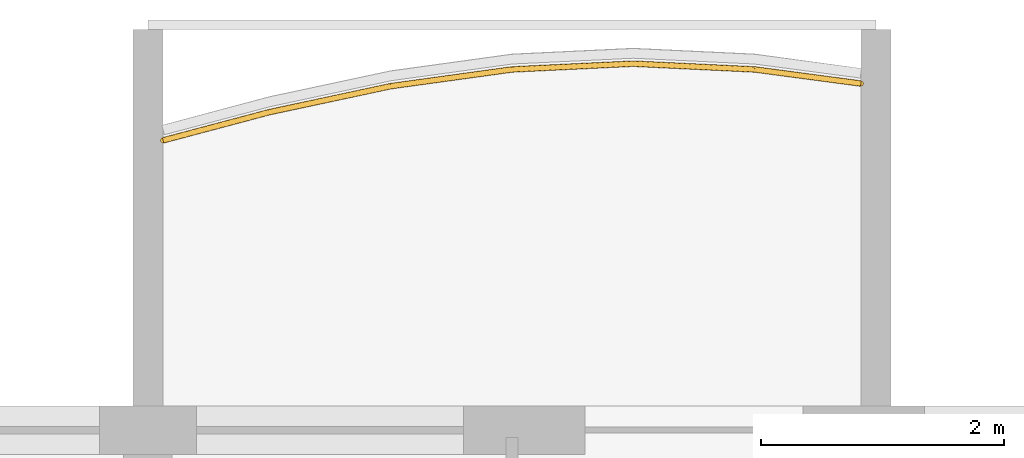
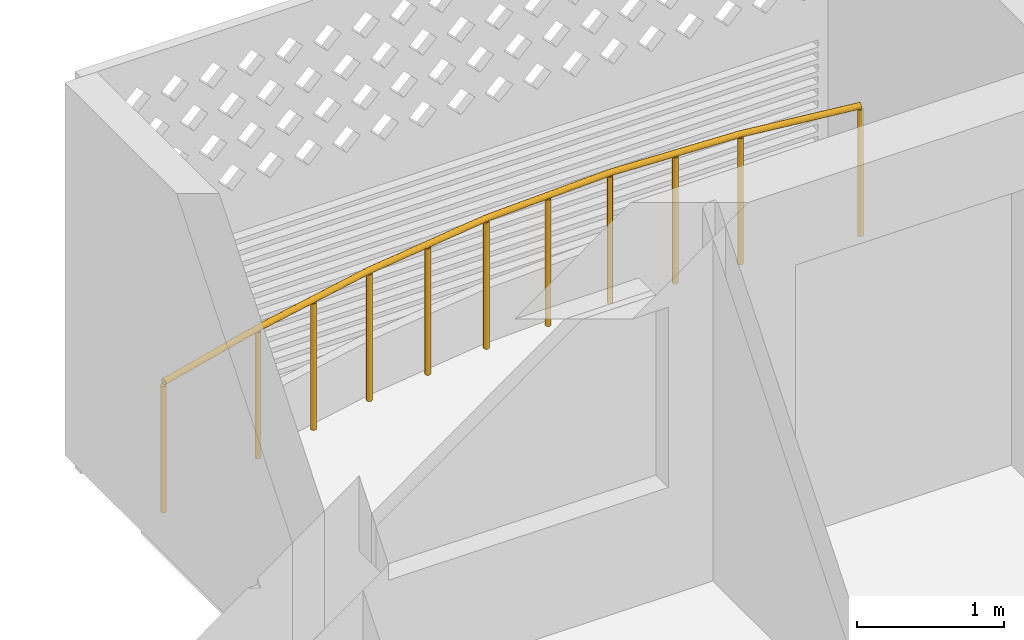
# One storey, part 28 of 40: 1 railing.
"""IFC4 building model written with IfcOpenShell, lengths in metres."""

from ifc_helpers import new_model, si_unit, direction, frame, origin, origin_2d, place, context, subcontext, project, spatial, circle, extrude, material, type_object, element, save


model = new_model("IFC4")

# Units and contexts
model_context = context("Model", 3, precision=1e-05, world=origin(), true_north=direction((0.0, 1.0)))
body_context = subcontext(model_context, "Body", "Model", "MODEL_VIEW")
ifc_project = project(units=[si_unit("LENGTHUNIT", "METRE"), si_unit("AREAUNIT", "SQUARE_METRE"), si_unit("VOLUMEUNIT", "CUBIC_METRE"), si_unit("PLANEANGLEUNIT", "RADIAN"), si_unit("MASSUNIT", "GRAM", prefix="KILO")], contexts=[model_context])

# Site, building, storey
site_placement = place(None, origin())
site = spatial("IfcSite", under=ifc_project, at=site_placement, CompositionType="ELEMENT")
building_placement = place(site_placement, origin())
building = spatial("IfcBuilding", under=site, at=building_placement, Name="Poui Terraces", CompositionType="ELEMENT")
storey_placement = place(building_placement, frame((0.0, 0.0, 33.300048828125)))
storey = spatial("IfcBuildingStorey", under=building, at=storey_placement, Name="L08", CompositionType="ELEMENT", Elevation=33.300048828125)

# Railing
ifc_material = material(Name="Painted steel fretwork", Category="steel")
railing_type = type_object("IfcRailingType", Name="BALCONY GUARD 1100", PredefinedType="GUARDRAIL", material=ifc_material)
railing_placement = place(storey_placement, frame((48.125, 47.18798828125, 0.0)))
element("IfcRailing", 1, at=railing_placement, inside=storey, type_object=railing_type, Name="BALCONY GUARD", PredefinedType="GUARDRAIL", context=body_context, shape_type="SweptSolid", body=[
    extrude(circle(Radius=0.02392578125, at=origin_2d()), frame((0.0, 0.0, 1.076171875), z_axis=(0.966485126926, 0.25672261184, 0.0), x_axis=(-0.25672261184, 0.966485126926, 0.0)), (0.0, 0.0, 1.0), 0.9052734375),
    extrude(circle(Radius=0.02392578125, at=origin_2d()), frame((0.875, 0.232421875, 1.076171875), z_axis=(0.977837336556, 0.20936605082, 0.0), x_axis=(-0.20936605082, 0.977837336556, 0.0)), (0.0, 0.0, 1.0), 1.022705078125),
    extrude(circle(Radius=0.02392578125, at=origin_2d()), frame((1.875, 0.446533203125, 1.076171875), z_axis=(0.990620000385, 0.136645581108, 0.0), x_axis=(-0.136645581108, 0.990620000385, 0.0)), (0.0, 0.0, 1.0), 1.009521484375),
    extrude(circle(Radius=0.02392578125, at=origin_2d()), frame((2.875, 0.58447265625, 1.076171875), z_axis=(0.998868689387, 0.047553563093, 0.0), x_axis=(-0.047553563093, 0.998868689387, 0.0)), (0.0, 0.0, 1.0), 1.001220703125),
    extrude(circle(Radius=0.02392578125, at=origin_2d()), frame((3.875, 0.632080078125, 1.076171875), z_axis=(0.998868689387, -0.047553563093, 0.0), x_axis=(0.047553563093, 0.998868689387, 0.0)), (0.0, 0.0, 1.0), 1.001220703125),
    extrude(circle(Radius=0.02392578125, at=origin_2d()), frame((4.875, 0.58447265625, 1.076171875), z_axis=(0.991295408391, -0.131656421427, 0.0), x_axis=(0.131656421427, 0.991295408391, 0.0)), (0.0, 0.0, 1.0), 0.882568359375),
    extrude(circle(Radius=0.02099609375, at=origin_2d()), origin(), (0.0, 0.0, 1.0), 1.052001953125),
    extrude(circle(Radius=0.02099609375, at=origin_2d()), frame((0.875, 0.232421875, 0.0)), (0.0, 0.0, 1.0), 1.052001953125),
    extrude(circle(Radius=0.02099609375, at=origin_2d()), frame((1.375, 0.33935546875, 0.0)), (0.0, 0.0, 1.0), 1.052001953125),
    extrude(circle(Radius=0.02099609375, at=origin_2d()), frame((1.875, 0.446533203125, 0.0)), (0.0, 0.0, 1.0), 1.052001953125),
    extrude(circle(Radius=0.02099609375, at=origin_2d()), frame((2.375, 0.515625, 0.0)), (0.0, 0.0, 1.0), 1.052001953125),
    extrude(circle(Radius=0.02099609375, at=origin_2d()), frame((2.875, 0.58447265625, 0.0)), (0.0, 0.0, 1.0), 1.052001953125),
    extrude(circle(Radius=0.02099609375, at=origin_2d()), frame((3.375, 0.6083984375, 0.0)), (0.0, 0.0, 1.0), 1.052001953125),
    extrude(circle(Radius=0.02099609375, at=origin_2d()), frame((3.875, 0.632080078125, 0.0)), (0.0, 0.0, 1.0), 1.052001953125),
    extrude(circle(Radius=0.02099609375, at=origin_2d()), frame((4.375, 0.6083984375, 0.0)), (0.0, 0.0, 1.0), 1.052001953125),
    extrude(circle(Radius=0.02099609375, at=origin_2d()), frame((4.875, 0.58447265625, 0.0)), (0.0, 0.0, 1.0), 1.052001953125),
    extrude(circle(Radius=0.02099609375, at=origin_2d()), frame((5.75, 0.46826171875, 0.0)), (0.0, 0.0, 1.0), 1.052001953125),
])

save(model, "model.ifc")
